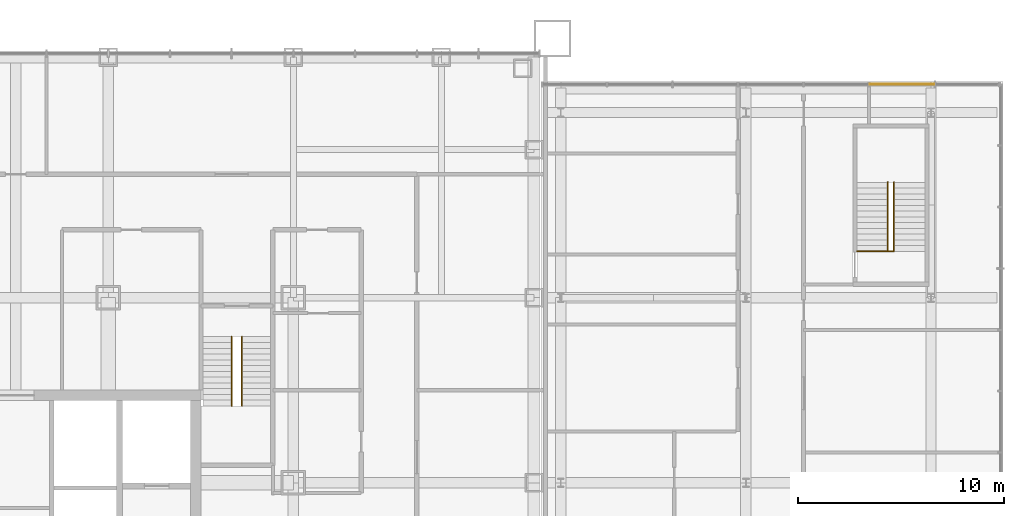
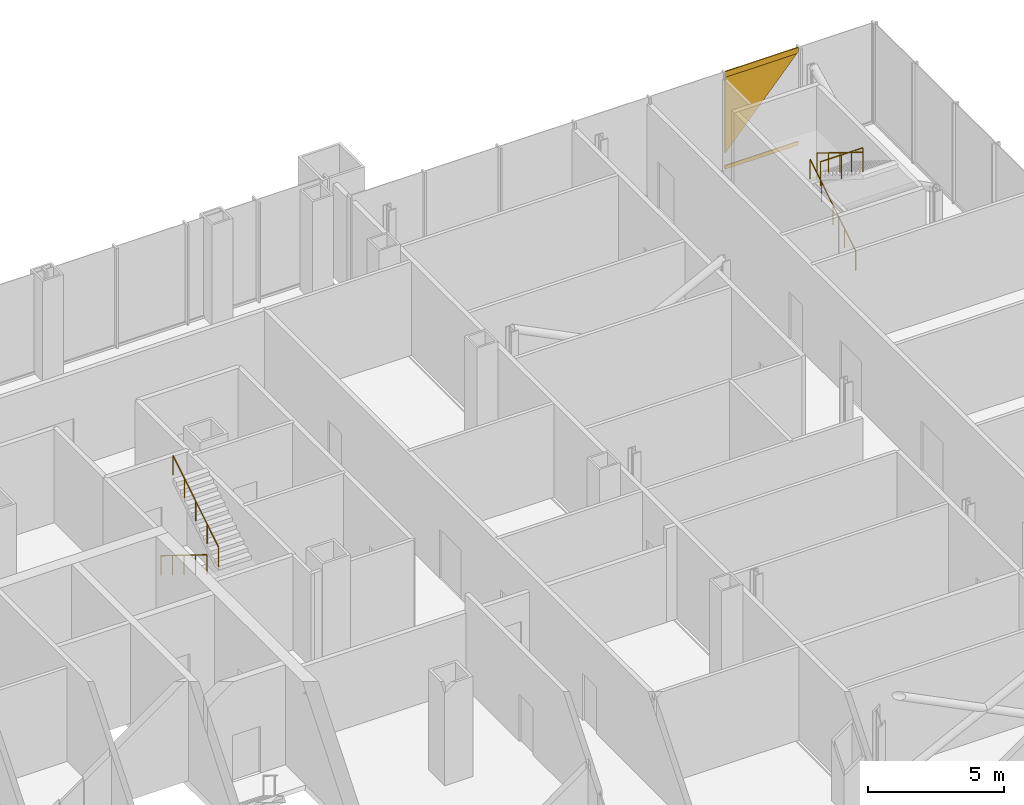
# One storey, part 24 of 25: 5 railings, 3 coverings.
"""IFC4 building model written with IfcOpenShell, lengths in metres."""

from ifc_helpers import new_model, si_unit, direction, frame, origin, origin_2d, place, context, subcontext, project, spatial, polyline, circle, outline, extrude, material, layer, layer_set, type_object, element, save


model = new_model("IFC4")

# Units and contexts
model_context = context("Model", 3, precision=1e-05, world=origin(), true_north=direction((0.0, 1.0)))
body_context = subcontext(model_context, "Body", "Model", "MODEL_VIEW")
ifc_project = project(units=[si_unit("LENGTHUNIT", "METRE"), si_unit("AREAUNIT", "SQUARE_METRE"), si_unit("VOLUMEUNIT", "CUBIC_METRE"), si_unit("PLANEANGLEUNIT", "RADIAN"), si_unit("MASSUNIT", "GRAM", prefix="KILO")], contexts=[model_context])

# Site, building, storey
site_placement = place(None, origin())
site = spatial("IfcSite", under=ifc_project, at=site_placement, CompositionType="ELEMENT")
building_placement = place(site_placement, origin())
building = spatial("IfcBuilding", under=site, at=building_placement, Name="Malebo Sky Hospital", CompositionType="ELEMENT")
storey_placement = place(building_placement, frame((0.0, 0.0, 16.5)))
storey = spatial("IfcBuildingStorey", under=building, at=storey_placement, Name="L03", CompositionType="ELEMENT", Elevation=16.5)

# Coverings
ifc_material_1 = material(Name="Anodised aluminium, natural silver insulated infill panel", Category="aluminium")
ifc_layer = layer(ifc_material_1, 0.0400390625)
ifc_layer_set = layer_set([ifc_layer], Name="BRACE INFILL PANEL 40")
covering_type = type_object("IfcCoveringType", Name="BRACE INFILL PANEL 40", PredefinedType="CLADDING", material=ifc_layer_set)
covering_1_placement = place(storey_placement, frame((103.05615234375, 85.875, 0.8271484375), z_axis=(0.0, 0.0, 1.0), x_axis=(-1.0, 0.0, 0.0)))
element("IfcCovering", 1, at=covering_1_placement, inside=storey, type_object=covering_type, Name="Brace infill panel 2.1", PredefinedType="CLADDING", context=body_context, shape_type="SweptSolid", body=[
    extrude(outline(polyline([(1.522216796875, 0.0), (1.522216796875, 3.40380859375), (-1.522216796875, 3.40380859375), (1.522216796875, 0.0)])), frame((0.0, 0.02001953125, 0.0), z_axis=(0.0, -1.0, 0.0), x_axis=(1.0, 0.0, 0.0)), (0.0, 0.0, 1.0), 0.0400390625),
])
covering_2_placement = place(storey_placement, frame((103.091064453125, 85.875, 0.10009765625), z_axis=(0.0, 0.0, 1.0), x_axis=(-1.0, 0.0, 0.0)))
element("IfcCovering", 2, at=covering_2_placement, inside=storey, type_object=covering_type, Name="Brace infill panel 2.2", PredefinedType="CLADDING", context=body_context, shape_type="SweptSolid", body=[
    extrude(outline(polyline([(-1.55712890625, 0.0), (1.55712890625, 0.0), (1.55712890625, 0.169189453125), (-1.55712890625, 0.169189453125), (-1.55712890625, 0.0)])), frame((0.0, 0.02001953125, 0.0), z_axis=(0.0, -1.0, 0.0), x_axis=(1.0, 0.0, 0.0)), (0.0, 0.0, 1.0), 0.0400390625),
])
covering_3_placement = place(storey_placement, frame((103.091064453125, 85.875, 4.23095703125), z_axis=(0.0, 0.0, 1.0), x_axis=(-1.0, 0.0, 0.0)))
element("IfcCovering", 3, at=covering_3_placement, inside=storey, type_object=covering_type, Name="Brace infill panel 2.3", PredefinedType="CLADDING", context=body_context, shape_type="SweptSolid", body=[
    extrude(outline(polyline([(-1.4873046875, 0.0), (1.55712890625, 0.0), (1.55712890625, 0.259033203125), (-1.55712890625, 0.259033203125), (-1.55712890625, 0.077880859375), (-1.4873046875, 0.0)])), frame((0.0, 0.02001953125, 0.0), z_axis=(0.0, -1.0, 0.0), x_axis=(1.0, 0.0, 0.0)), (0.0, 0.0, 1.0), 0.0400390625),
])

# Railings
ifc_material_2 = material(Name="Stainless steel balustrade", Category="steel")
railing_type_1 = type_object("IfcRailingType", Name="STAIR GUARD 1100", PredefinedType="GUARDRAIL", material=ifc_material_2)
railing_1_placement = place(storey_placement, frame((100.89990234375, 77.75, 4.5)))
element("IfcRailing", 4, at=railing_1_placement, inside=storey, type_object=railing_type_1, Name="Stair guard ES top landing", PredefinedType="GUARDRAIL", context=body_context, shape_type="SweptSolid", body=[
    extrude(circle(Radius=0.02392578125, at=origin_2d()), frame((0.0, 0.0, 1.076171875), z_axis=(1.0, 0.0, 0.0), x_axis=(0.0, 1.0, 0.0)), (0.0, 0.0, 1.0), 1.800048828125),
    extrude(circle(Radius=0.02099609375, at=origin_2d()), origin(), (0.0, 0.0, 1.0), 1.052001953125),
    extrude(circle(Radius=0.02099609375, at=origin_2d()), frame((0.89990234375, 0.0, 0.0)), (0.0, 0.0, 1.0), 1.052001953125),
    extrude(circle(Radius=0.02099609375, at=origin_2d()), frame((1.800048828125, 0.0, 0.0)), (0.0, 0.0, 1.0), 1.052001953125),
])
ifc_material_3 = material(Name="Stainless steel tube", Category="steel")
railing_type_2 = type_object("IfcRailingType", Name="STAIR HANDRAIL 900", PredefinedType="HANDRAIL", material=ifc_material_3)
railing_2_placement = place(storey_placement, frame((70.5, 73.60009765625, 0.173095703125)))
element("IfcRailing", 5, at=railing_2_placement, inside=storey, type_object=railing_type_2, Name="Stair handrail S3 flight 1", PredefinedType="HANDRAIL", context=body_context, shape_type="SweptSolid", body=[
    extrude(circle(Radius=0.02392578125, at=origin_2d()), frame((0.0, 0.0, 0.8759765625), z_axis=(0.0, -0.850623216509, 0.525775754039), x_axis=(1.0, 0.0, 0.0)), (0.0, 0.0, 1.0), 3.9501953125),
    extrude(circle(Radius=0.02099609375, at=origin_2d()), origin(), (0.0, 0.0, 1.0), 0.851806640625),
    extrude(circle(Radius=0.02099609375, at=origin_2d()), frame((0.0, -0.840087890625, 0.519287109375)), (0.0, 0.0, 1.0), 0.851806640625),
    extrude(circle(Radius=0.02099609375, at=origin_2d()), frame((0.0, -1.68017578125, 1.03857421875)), (0.0, 0.0, 1.0), 0.851806640625),
    extrude(circle(Radius=0.02099609375, at=origin_2d()), frame((0.0, -2.52001953125, 1.5576171875)), (0.0, 0.0, 1.0), 0.851806640625),
    extrude(circle(Radius=0.02099609375, at=origin_2d()), frame((0.0, -3.360107421875, 2.076904296875)), (0.0, 0.0, 1.0), 0.851806640625),
])
for number, where, name in (
    (6, (71.0, 70.239990234375, 2.423095703125), "Stair handrail S3 flight 2"),
    (7, (102.39990234375, 77.75, 0.173095703125), "Stair handrail ES flight 1"),
):
    element("IfcRailing", number, at=place(storey_placement, frame(where)), inside=storey, type_object=railing_type_2, Name=name, PredefinedType="HANDRAIL", context=body_context, shape_type="SweptSolid", body=[
        extrude(circle(Radius=0.02392578125, at=origin_2d()), frame((0.0, 0.0, 0.8759765625), z_axis=(0.0, 0.850623216509, 0.525775754039), x_axis=(-1.0, 0.0, 0.0)), (0.0, 0.0, 1.0), 3.9501953125),
        extrude(circle(Radius=0.02099609375, at=origin_2d()), origin(), (0.0, 0.0, 1.0), 0.851806640625),
        extrude(circle(Radius=0.02099609375, at=origin_2d()), frame((0.0, 0.840087890625, 0.519287109375)), (0.0, 0.0, 1.0), 0.851806640625),
        extrude(circle(Radius=0.02099609375, at=origin_2d()), frame((0.0, 1.68017578125, 1.03857421875)), (0.0, 0.0, 1.0), 0.851806640625),
        extrude(circle(Radius=0.02099609375, at=origin_2d()), frame((0.0, 2.52001953125, 1.5576171875)), (0.0, 0.0, 1.0), 0.851806640625),
        extrude(circle(Radius=0.02099609375, at=origin_2d()), frame((0.0, 3.360107421875, 2.076904296875)), (0.0, 0.0, 1.0), 0.851806640625),
    ])
railing_3_placement = place(storey_placement, frame((102.699951171875, 81.110107421875, 2.423095703125)))
element("IfcRailing", 8, at=railing_3_placement, inside=storey, type_object=railing_type_2, Name="Stair handrail ES flight 2", PredefinedType="HANDRAIL", context=body_context, shape_type="SweptSolid", body=[
    extrude(circle(Radius=0.02392578125, at=origin_2d()), frame((0.0, 0.0, 0.8759765625), z_axis=(0.0, -0.850623216509, 0.525775754039), x_axis=(1.0, 0.0, 0.0)), (0.0, 0.0, 1.0), 3.9501953125),
    extrude(circle(Radius=0.02099609375, at=origin_2d()), origin(), (0.0, 0.0, 1.0), 0.851806640625),
    extrude(circle(Radius=0.02099609375, at=origin_2d()), frame((0.0, -0.840087890625, 0.519287109375)), (0.0, 0.0, 1.0), 0.851806640625),
    extrude(circle(Radius=0.02099609375, at=origin_2d()), frame((0.0, -1.68017578125, 1.03857421875)), (0.0, 0.0, 1.0), 0.851806640625),
    extrude(circle(Radius=0.02099609375, at=origin_2d()), frame((0.0, -2.52001953125, 1.5576171875)), (0.0, 0.0, 1.0), 0.851806640625),
    extrude(circle(Radius=0.02099609375, at=origin_2d()), frame((0.0, -3.360107421875, 2.076904296875)), (0.0, 0.0, 1.0), 0.851806640625),
])

save(model, "model.ifc")
